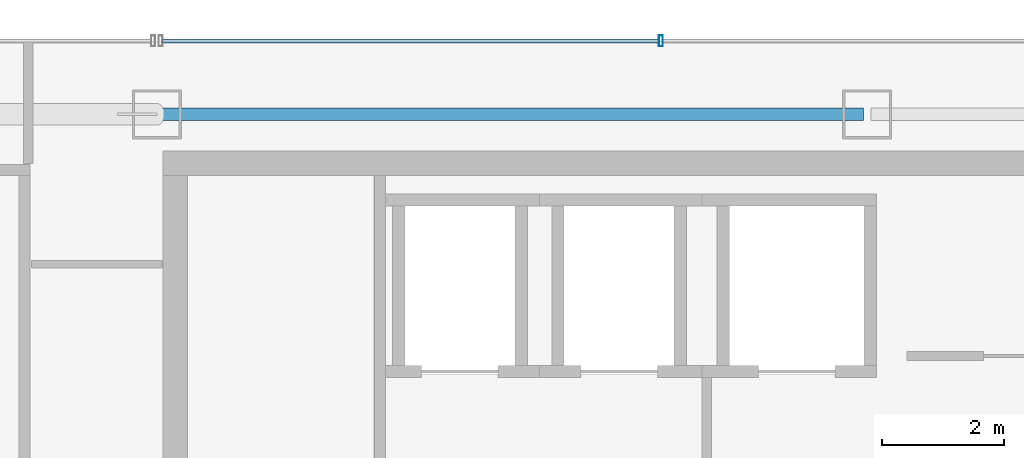
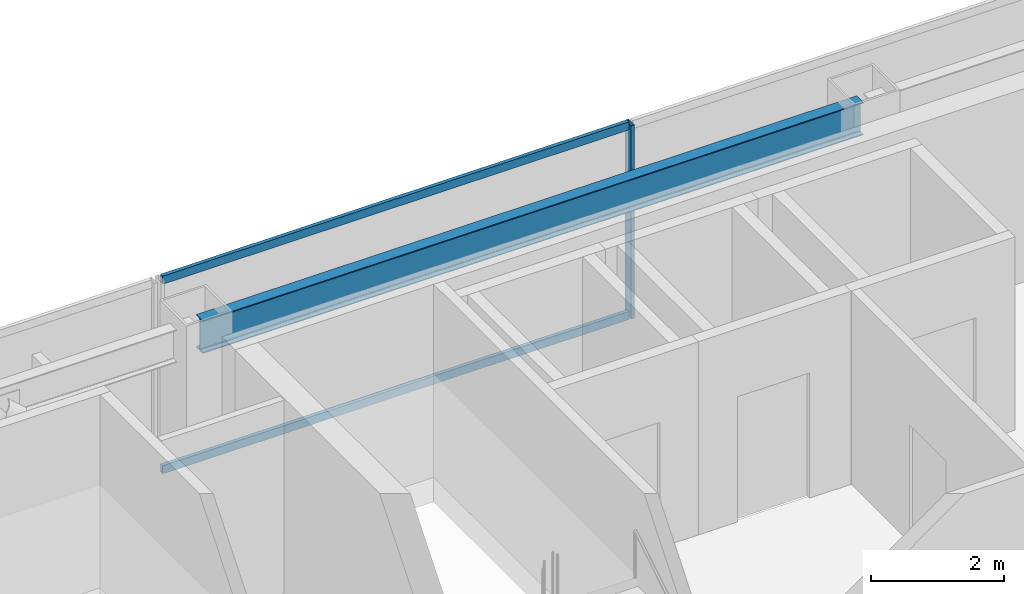
# One storey, part 17 of 31: 3 members, 1 beam, 1 element without a shape of its own.
"""IFC4 building model written with IfcOpenShell, lengths in metres."""

from ifc_helpers import new_model, si_unit, direction, frame, origin, origin_2d, place, context, subcontext, project, spatial, hollow_rectangle, i_section, extrude, material, material_profile, profile_set, type_object, element, aggregate, save


model = new_model("IFC4")

# Units and contexts
model_context = context("Model", 3, precision=1e-05, world=origin(), true_north=direction((0.0, 1.0)))
body_context = subcontext(model_context, "Body", "Model", "MODEL_VIEW")
ifc_project = project(units=[si_unit("LENGTHUNIT", "METRE"), si_unit("AREAUNIT", "SQUARE_METRE"), si_unit("VOLUMEUNIT", "CUBIC_METRE"), si_unit("PLANEANGLEUNIT", "RADIAN"), si_unit("MASSUNIT", "GRAM", prefix="KILO")], contexts=[model_context])

# Site, building, storey
site_placement = place(None, origin())
site = spatial("IfcSite", under=ifc_project, at=site_placement, CompositionType="ELEMENT")
building_placement = place(site_placement, origin())
building = spatial("IfcBuilding", under=site, at=building_placement, Name="Saevonmaru Cultural Tower", CompositionType="ELEMENT")
storey_placement = place(building_placement, frame((0.0, 0.0, 230.60009765625)))
storey = spatial("IfcBuildingStorey", under=building, at=storey_placement, Name="L53", CompositionType="ELEMENT", Elevation=230.60009765625)

# Beam
ifc_material_1 = material(Name="Steel SM355", Category="steel")
ifc_material_profile_1 = material_profile(ifc_material_1, i_section(OverallWidth=0.199951171875, OverallDepth=0.60009765625, WebThickness=0.010986328125, FlangeThickness=0.01708984375, FilletRadius=0.02197265625, at=origin_2d()), Name="H-600x200x11x17")
ifc_profile_set_1 = profile_set([ifc_material_profile_1], Name="Steel SM355")
beam_type = type_object("IfcBeamType", Name="BM-SP-H600", PredefinedType="SPANDREL", material=ifc_profile_set_1)
beam_placement = place(storey_placement, frame((13.659912109375, 54.800048828125, 3.25), z_axis=(1.0, 0.0, 0.0), x_axis=(0.0, 1.0, 0.0)))
element("IfcBeam", 1, at=beam_placement, inside=storey, type_object=beam_type, Name="L53 North Spine Girder 2", PredefinedType="SPANDREL", context=body_context, shape_type="SweptSolid", body=[
    extrude(i_section(OverallWidth=0.199951171875, OverallDepth=0.60009765625, WebThickness=0.010986328125, FlangeThickness=0.01708984375, FilletRadius=0.02197265625, at=origin_2d()), origin(), (0.0, 0.0, 1.0), 11.47998046875),
])

# Curtain wall, members
ifc_material_2 = material(Name="Satin Bronze Anodised Aluminium", Category="aluminium")
curtain_wall_type = type_object("IfcCurtainWallType", Name="CW-SKY-GLZ", PredefinedType="NOTDEFINED", material=ifc_material_2)
curtain_wall_placement = place(storey_placement, origin())
curtain_wall = element("IfcCurtainWall", 2, at=curtain_wall_placement, inside=storey, type_object=curtain_wall_type, Name="L53 North Spine Unitised Curtain Wall E10B", PredefinedType="NOTDEFINED")
ifc_material_profile_2 = material_profile(ifc_material_2, hollow_rectangle(XDim=0.06494140625, YDim=0.179931640625, WallThickness=0.00390625, at=origin_2d()), Name="ALU-MULL-180x65x4")
ifc_profile_set_2 = profile_set([ifc_material_profile_2], Name="Satin Bronze Anodised Aluminium")
member_type_1 = type_object("IfcMemberType", Name="ML-CW-180x65", PredefinedType="MULLION", material=ifc_profile_set_2)
member_1_placement = place(storey_placement, frame((21.830078125, 56.0, 0.0), z_axis=(0.0, 0.0, 1.0), x_axis=(-1.0, 0.0, 0.0)))
member_1 = element("IfcMember", 3, at=member_1_placement, type_object=member_type_1, Name="CW-TW-L53-E10B mullion 4", PredefinedType="MULLION", context=body_context, shape_type="SweptSolid", body=[
    extrude(hollow_rectangle(XDim=0.06494140625, YDim=0.179931640625, WallThickness=0.00390625, at=origin_2d()), origin(), (0.0, 0.0, 1.0), 3.5498046875),
])
ifc_material_profile_3 = material_profile(ifc_material_2, hollow_rectangle(XDim=0.06494140625, YDim=0.14990234375, WallThickness=0.00390625, at=origin_2d()), Name="ALU-TRAN-150x65x4")
ifc_profile_set_3 = profile_set([ifc_material_profile_3], Name="Satin Bronze Anodised Aluminium")
member_type_2 = type_object("IfcMemberType", Name="TR-CW-150x65", PredefinedType="USERDEFINED", material=ifc_profile_set_3)
member_2_placement = place(storey_placement, frame((21.797607421875, 56.0, 0.032470703125), z_axis=(-1.0, 0.0, 0.0), x_axis=(0.0, -1.0, 0.0)))
member_2 = element("IfcMember", 4, at=member_2_placement, type_object=member_type_2, Name="CW-TW-L53-E10B transom 4.1", ObjectType="TRANSOM", PredefinedType="USERDEFINED", context=body_context, shape_type="SweptSolid", body=[
    extrude(hollow_rectangle(XDim=0.06494140625, YDim=0.14990234375, WallThickness=0.00390625, at=origin_2d()), origin(), (0.0, 0.0, 1.0), 8.105224609375),
])
member_3_placement = place(storey_placement, frame((21.797607421875, 56.0, 3.517333984375), z_axis=(-1.0, 0.0, 0.0), x_axis=(0.0, -1.0, 0.0)))
member_3 = element("IfcMember", 5, at=member_3_placement, type_object=member_type_2, Name="CW-TW-L53-E10B transom 4.2", ObjectType="TRANSOM", PredefinedType="USERDEFINED", context=body_context, shape_type="SweptSolid", body=[
    extrude(hollow_rectangle(XDim=0.06494140625, YDim=0.14990234375, WallThickness=0.00390625, at=origin_2d()), origin(), (0.0, 0.0, 1.0), 8.105224609375),
])
aggregate(curtain_wall, [member_1, member_2, member_3])

save(model, "model.ifc")
